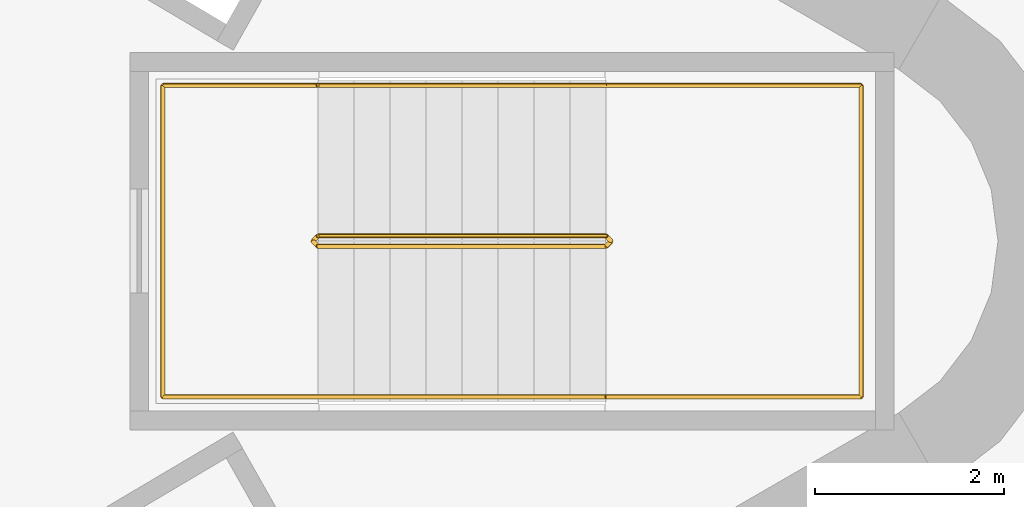
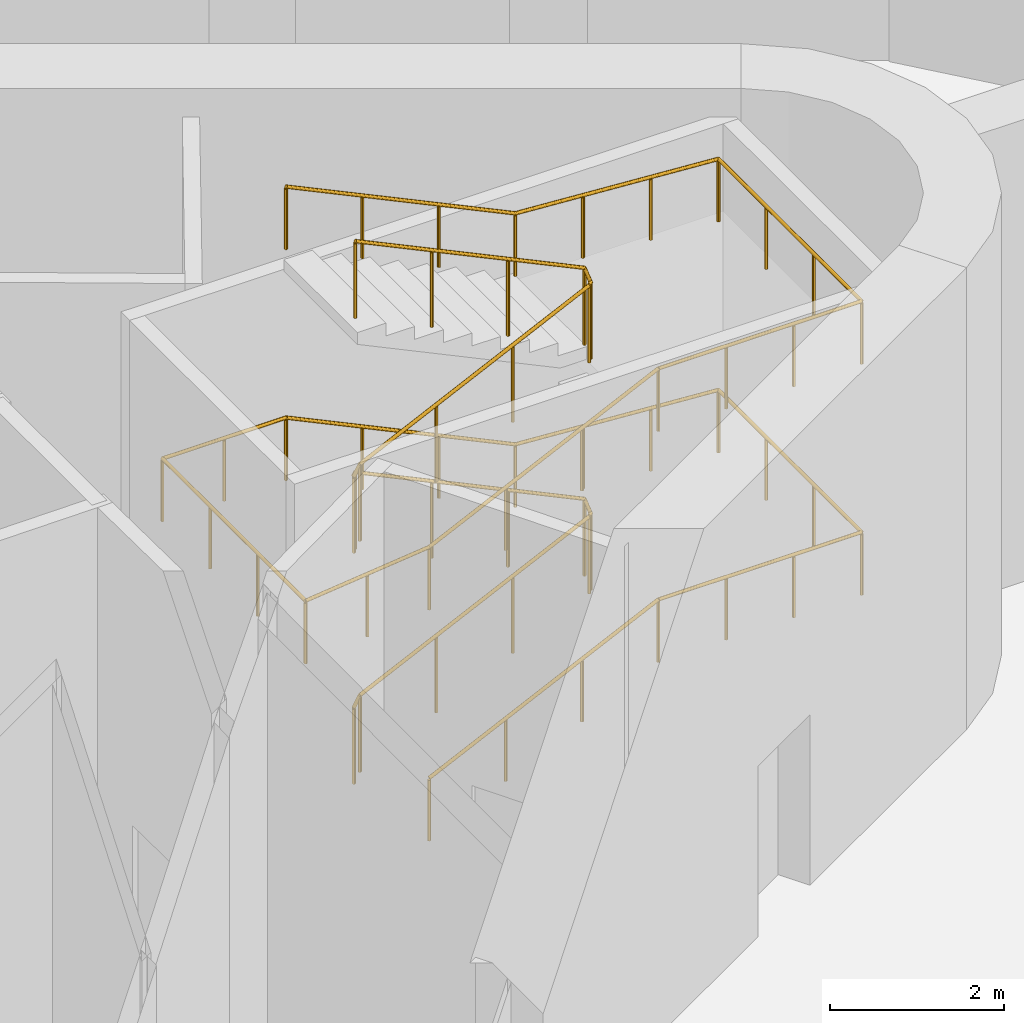
# One storey, part 14 of 15: 2 railings.
"""IFC4 building model written with IfcOpenShell, lengths in metres."""

from ifc_helpers import new_model, si_unit, direction, frame, origin, origin_2d, place, context, subcontext, project, spatial, circle, extrude, material, type_object, element, save


model = new_model("IFC4")

# Units and contexts
model_context = context("Model", 3, precision=1e-05, world=origin(), true_north=direction((0.0, 1.0)))
body_context = subcontext(model_context, "Body", "Model", "MODEL_VIEW")
ifc_project = project(units=[si_unit("LENGTHUNIT", "METRE"), si_unit("AREAUNIT", "SQUARE_METRE"), si_unit("VOLUMEUNIT", "CUBIC_METRE"), si_unit("PLANEANGLEUNIT", "RADIAN"), si_unit("MASSUNIT", "GRAM", prefix="KILO")], contexts=[model_context])

# Site, building, storey
site_placement = place(None, origin())
site = spatial("IfcSite", under=ifc_project, at=site_placement, CompositionType="ELEMENT")
building_placement = place(site_placement, origin())
building = spatial("IfcBuilding", under=site, at=building_placement, Name="Tanit Gate Tower", CompositionType="ELEMENT")
storey_placement = place(building_placement, frame((0.0, 0.0, 277.199951171875)))
storey = spatial("IfcBuildingStorey", under=building, at=storey_placement, Name="L63", CompositionType="ELEMENT", Elevation=277.199951171875)

# Railings
ifc_material_1 = material(Name="Stainless steel balustrade", Category="steel")
railing_type_1 = type_object("IfcRailingType", Name="INT-STAIR-GUARD", PredefinedType="GUARDRAIL", material=ifc_material_1)
railing_1_placement = place(storey_placement, frame((13.044921875, 0.0048828125, 0.0)))
element("IfcRailing", 1, at=railing_1_placement, inside=storey, type_object=railing_type_1, Name="L63 S1 stair guard 1", PredefinedType="GUARDRAIL", context=body_context, shape_type="SweptSolid", body=[
    extrude(circle(Radius=0.02392578125, at=origin_2d()), frame((0.0, 0.0, 1.076171875), z_axis=(0.0, -1.0, 0.0), x_axis=(1.0, 0.0, 0.0)), (0.0, 0.0, 1.0), 0.009765625),
    extrude(circle(Radius=0.02392578125, at=origin_2d()), frame((0.0, -0.009765625, 1.076171875), z_axis=(0.257938167925, -0.257938167925, 0.931093874459), x_axis=(0.707106781187, 0.707106781187, 0.0)), (0.0, 0.0, 1.0), 0.194091796875),
    extrude(circle(Radius=0.02392578125, at=origin_2d()), frame((0.050048828125, -0.059814453125, 1.2568359375), z_axis=(0.903839427737, 0.0, 0.427871813594), x_axis=(0.0, 1.0, 0.0)), (0.0, 0.0, 1.0), 3.375732421875),
    extrude(circle(Radius=0.02392578125, at=origin_2d()), frame((3.10107421875, -0.059814453125, 2.701171875), z_axis=(0.707106781187, 0.707106781187, 0.0), x_axis=(-0.707106781187, 0.707106781187, 0.0)), (0.0, 0.0, 1.0), 0.07080078125),
    extrude(circle(Radius=0.02392578125, at=origin_2d()), frame((3.151123046875, -0.009765625, 2.701171875), z_axis=(0.0, 1.0, 0.0), x_axis=(-1.0, 0.0, 0.0)), (0.0, 0.0, 1.0), 0.009765625),
    extrude(circle(Radius=0.02392578125, at=origin_2d()), frame((3.151123046875, 0.0, 2.701171875), z_axis=(-0.257938167925, 0.257938167925, 0.931093874459), x_axis=(-0.707106781187, -0.707106781187, 0.0)), (0.0, 0.0, 1.0), 0.194091796875),
    extrude(circle(Radius=0.02392578125, at=origin_2d()), frame((3.10107421875, 0.050048828125, 2.8818359375), z_axis=(-0.903839427737, 0.0, 0.427871813594), x_axis=(0.0, -1.0, 0.0)), (0.0, 0.0, 1.0), 3.375732421875),
    extrude(circle(Radius=0.02392578125, at=origin_2d()), frame((0.050048828125, 0.050048828125, 4.326171875), z_axis=(-0.707106781187, -0.707106781187, 0.0), x_axis=(0.707106781187, -0.707106781187, 0.0)), (0.0, 0.0, 1.0), 0.07080078125),
    extrude(circle(Radius=0.02392578125, at=origin_2d()), frame((0.0, 0.0, 4.326171875), z_axis=(0.0, -1.0, 0.0), x_axis=(1.0, 0.0, 0.0)), (0.0, 0.0, 1.0), 0.009765625),
    extrude(circle(Radius=0.02392578125, at=origin_2d()), frame((0.0, -0.009765625, 4.326171875), z_axis=(0.257938167925, -0.257938167925, 0.931093874459), x_axis=(0.707106781187, 0.707106781187, 0.0)), (0.0, 0.0, 1.0), 0.194091796875),
    extrude(circle(Radius=0.02392578125, at=origin_2d()), frame((0.050048828125, -0.059814453125, 4.5068359375), z_axis=(0.903839427737, 0.0, 0.427871813594), x_axis=(0.0, 1.0, 0.0)), (0.0, 0.0, 1.0), 3.375732421875),
    extrude(circle(Radius=0.02392578125, at=origin_2d()), frame((3.10107421875, -0.059814453125, 5.951171875), z_axis=(0.707106781187, 0.707106781187, 0.0), x_axis=(-0.707106781187, 0.707106781187, 0.0)), (0.0, 0.0, 1.0), 0.07080078125),
    extrude(circle(Radius=0.02392578125, at=origin_2d()), frame((3.151123046875, -0.009765625, 5.951171875), z_axis=(0.0, 1.0, 0.0), x_axis=(-1.0, 0.0, 0.0)), (0.0, 0.0, 1.0), 0.009765625),
    extrude(circle(Radius=0.02392578125, at=origin_2d()), frame((3.151123046875, 0.0, 5.951171875), z_axis=(-0.257938167925, 0.257938167925, 0.931093874459), x_axis=(-0.707106781187, -0.707106781187, 0.0)), (0.0, 0.0, 1.0), 0.194091796875),
    extrude(circle(Radius=0.02392578125, at=origin_2d()), frame((3.10107421875, 0.050048828125, 6.1318359375), z_axis=(-0.903839427737, 0.0, 0.427871813594), x_axis=(0.0, -1.0, 0.0)), (0.0, 0.0, 1.0), 3.375732421875),
    extrude(circle(Radius=0.02099609375, at=origin_2d()), origin(), (0.0, 0.0, 1.0), 1.052001953125),
    extrude(circle(Radius=0.02099609375, at=origin_2d()), frame((0.0, -0.009765625, 0.0)), (0.0, 0.0, 1.0), 1.052001953125),
    extrude(circle(Radius=0.02099609375, at=origin_2d()), frame((0.050048828125, -0.059814453125, 0.1806640625)), (0.0, 0.0, 1.0), 1.052001953125),
    extrude(circle(Radius=0.02099609375, at=origin_2d()), frame((1.067138671875, -0.059814453125, 0.662109375)), (0.0, 0.0, 1.0), 1.052001953125),
    extrude(circle(Radius=0.02099609375, at=origin_2d()), frame((2.083984375, -0.059814453125, 1.1435546875)), (0.0, 0.0, 1.0), 1.052001953125),
    extrude(circle(Radius=0.02099609375, at=origin_2d()), frame((3.10107421875, -0.059814453125, 1.625)), (0.0, 0.0, 1.0), 1.052001953125),
    extrude(circle(Radius=0.02099609375, at=origin_2d()), frame((3.151123046875, -0.009765625, 1.625)), (0.0, 0.0, 1.0), 1.052001953125),
    extrude(circle(Radius=0.02099609375, at=origin_2d()), frame((3.151123046875, 0.0, 1.625)), (0.0, 0.0, 1.0), 1.052001953125),
    extrude(circle(Radius=0.02099609375, at=origin_2d()), frame((3.10107421875, 0.050048828125, 1.8056640625)), (0.0, 0.0, 1.0), 1.052001953125),
    extrude(circle(Radius=0.02099609375, at=origin_2d()), frame((2.083984375, 0.050048828125, 2.287109375)), (0.0, 0.0, 1.0), 1.052001953125),
    extrude(circle(Radius=0.02099609375, at=origin_2d()), frame((1.067138671875, 0.050048828125, 2.7685546875)), (0.0, 0.0, 1.0), 1.052001953125),
    extrude(circle(Radius=0.02099609375, at=origin_2d()), frame((0.050048828125, 0.050048828125, 3.25)), (0.0, 0.0, 1.0), 1.052001953125),
    extrude(circle(Radius=0.02099609375, at=origin_2d()), frame((0.0, 0.0, 3.25)), (0.0, 0.0, 1.0), 1.052001953125),
    extrude(circle(Radius=0.02099609375, at=origin_2d()), frame((0.0, -0.009765625, 3.25)), (0.0, 0.0, 1.0), 1.052001953125),
    extrude(circle(Radius=0.02099609375, at=origin_2d()), frame((0.050048828125, -0.059814453125, 3.4306640625)), (0.0, 0.0, 1.0), 1.052001953125),
    extrude(circle(Radius=0.02099609375, at=origin_2d()), frame((1.067138671875, -0.059814453125, 3.912109375)), (0.0, 0.0, 1.0), 1.052001953125),
    extrude(circle(Radius=0.02099609375, at=origin_2d()), frame((2.083984375, -0.059814453125, 4.3935546875)), (0.0, 0.0, 1.0), 1.052001953125),
    extrude(circle(Radius=0.02099609375, at=origin_2d()), frame((3.10107421875, -0.059814453125, 4.875)), (0.0, 0.0, 1.0), 1.052001953125),
    extrude(circle(Radius=0.02099609375, at=origin_2d()), frame((3.151123046875, -0.009765625, 4.875)), (0.0, 0.0, 1.0), 1.052001953125),
    extrude(circle(Radius=0.02099609375, at=origin_2d()), frame((3.151123046875, 0.0, 4.875)), (0.0, 0.0, 1.0), 1.052001953125),
    extrude(circle(Radius=0.02099609375, at=origin_2d()), frame((3.10107421875, 0.050048828125, 5.0556640625)), (0.0, 0.0, 1.0), 1.052001953125),
    extrude(circle(Radius=0.02099609375, at=origin_2d()), frame((2.083984375, 0.050048828125, 5.537109375)), (0.0, 0.0, 1.0), 1.052001953125),
    extrude(circle(Radius=0.02099609375, at=origin_2d()), frame((1.067138671875, 0.050048828125, 6.0185546875)), (0.0, 0.0, 1.0), 1.052001953125),
    extrude(circle(Radius=0.02099609375, at=origin_2d()), frame((0.050048828125, 0.050048828125, 6.5)), (0.0, 0.0, 1.0), 1.052001953125),
])
ifc_material_2 = material(Name="Stainless steel handrail", Category="steel")
railing_type_2 = type_object("IfcRailingType", Name="INT-STAIR-HANDRAIL", PredefinedType="HANDRAIL", material=ifc_material_2)
railing_2_placement = place(storey_placement, frame((13.094970703125, -1.64990234375, 0.1806640625)))
element("IfcRailing", 2, at=railing_2_placement, inside=storey, type_object=railing_type_2, Name="L63 S1 stair handrail 1", PredefinedType="HANDRAIL", context=body_context, shape_type="SweptSolid", body=[
    extrude(circle(Radius=0.02392578125, at=origin_2d()), frame((0.0, 0.0, 0.8759765625), z_axis=(0.903839427737, 0.0, 0.427871813594), x_axis=(0.0, 1.0, 0.0)), (0.0, 0.0, 1.0), 3.375732421875),
    extrude(circle(Radius=0.02392578125, at=origin_2d()), frame((3.051025390625, 0.0, 2.3203125), z_axis=(1.0, 0.0, 0.0), x_axis=(0.0, 1.0, 0.0)), (0.0, 0.0, 1.0), 2.7041015625),
    extrude(circle(Radius=0.02392578125, at=origin_2d()), frame((5.755126953125, 0.0, 2.3203125), z_axis=(0.0, 1.0, 0.0), x_axis=(-1.0, 0.0, 0.0)), (0.0, 0.0, 1.0), 3.2998046875),
    extrude(circle(Radius=0.02392578125, at=origin_2d()), frame((5.755126953125, 3.2998046875, 2.3203125), z_axis=(-0.997775581046, 0.0, 0.06666250722), x_axis=(0.0, -1.0, 0.0)), (0.0, 0.0, 1.0), 2.710205078125),
    extrude(circle(Radius=0.02392578125, at=origin_2d()), frame((3.051025390625, 3.2998046875, 2.5009765625), z_axis=(-0.903839427737, 0.0, 0.427871813594), x_axis=(0.0, -1.0, 0.0)), (0.0, 0.0, 1.0), 3.375732421875),
    extrude(circle(Radius=0.02392578125, at=origin_2d()), frame((0.0, 3.2998046875, 3.9453125), z_axis=(-1.0, 0.0, 0.0), x_axis=(0.0, -1.0, 0.0)), (0.0, 0.0, 1.0), 1.64501953125),
    extrude(circle(Radius=0.02392578125, at=origin_2d()), frame((-1.64501953125, 3.2998046875, 3.9453125), z_axis=(0.0, -1.0, 0.0), x_axis=(1.0, 0.0, 0.0)), (0.0, 0.0, 1.0), 3.2998046875),
    extrude(circle(Radius=0.02392578125, at=origin_2d()), frame((-1.64501953125, 0.0, 3.9453125), z_axis=(0.994023260866, 0.0, 0.109168479228), x_axis=(0.0, 1.0, 0.0)), (0.0, 0.0, 1.0), 1.655029296875),
    extrude(circle(Radius=0.02392578125, at=origin_2d()), frame((0.0, 0.0, 4.1259765625), z_axis=(0.903839427737, 0.0, 0.427871813594), x_axis=(0.0, 1.0, 0.0)), (0.0, 0.0, 1.0), 3.375732421875),
    extrude(circle(Radius=0.02392578125, at=origin_2d()), frame((3.051025390625, 0.0, 5.5703125), z_axis=(1.0, 0.0, 0.0), x_axis=(0.0, 1.0, 0.0)), (0.0, 0.0, 1.0), 2.7041015625),
    extrude(circle(Radius=0.02392578125, at=origin_2d()), frame((5.755126953125, 0.0, 5.5703125), z_axis=(0.0, 1.0, 0.0), x_axis=(-1.0, 0.0, 0.0)), (0.0, 0.0, 1.0), 3.2998046875),
    extrude(circle(Radius=0.02392578125, at=origin_2d()), frame((5.755126953125, 3.2998046875, 5.5703125), z_axis=(-0.997775581046, 0.0, 0.06666250722), x_axis=(0.0, -1.0, 0.0)), (0.0, 0.0, 1.0), 2.710205078125),
    extrude(circle(Radius=0.02392578125, at=origin_2d()), frame((3.051025390625, 3.2998046875, 5.7509765625), z_axis=(-0.903839427737, 0.0, 0.427871813594), x_axis=(0.0, -1.0, 0.0)), (0.0, 0.0, 1.0), 3.375732421875),
    extrude(circle(Radius=0.02099609375, at=origin_2d()), origin(), (0.0, 0.0, 1.0), 0.851806640625),
    extrude(circle(Radius=0.02099609375, at=origin_2d()), frame((1.01708984375, 0.0, 0.4814453125)), (0.0, 0.0, 1.0), 0.851806640625),
    extrude(circle(Radius=0.02099609375, at=origin_2d()), frame((2.033935546875, 0.0, 0.962890625)), (0.0, 0.0, 1.0), 0.851806640625),
    extrude(circle(Radius=0.02099609375, at=origin_2d()), frame((3.051025390625, 0.0, 1.4443359375)), (0.0, 0.0, 1.0), 0.851806640625),
    extrude(circle(Radius=0.02099609375, at=origin_2d()), frame((3.952392578125, 0.0, 1.4443359375)), (0.0, 0.0, 1.0), 0.851806640625),
    extrude(circle(Radius=0.02099609375, at=origin_2d()), frame((4.853759765625, 0.0, 1.4443359375)), (0.0, 0.0, 1.0), 0.851806640625),
    extrude(circle(Radius=0.02099609375, at=origin_2d()), frame((5.755126953125, 0.0, 1.4443359375)), (0.0, 0.0, 1.0), 0.851806640625),
    extrude(circle(Radius=0.02099609375, at=origin_2d()), frame((5.755126953125, 1.099853515625, 1.4443359375)), (0.0, 0.0, 1.0), 0.851806640625),
    extrude(circle(Radius=0.02099609375, at=origin_2d()), frame((5.755126953125, 2.199951171875, 1.4443359375)), (0.0, 0.0, 1.0), 0.851806640625),
    extrude(circle(Radius=0.02099609375, at=origin_2d()), frame((5.755126953125, 3.2998046875, 1.4443359375)), (0.0, 0.0, 1.0), 0.851806640625),
    extrude(circle(Radius=0.02099609375, at=origin_2d()), frame((4.853759765625, 3.2998046875, 1.504638671875)), (0.0, 0.0, 1.0), 0.851806640625),
    extrude(circle(Radius=0.02099609375, at=origin_2d()), frame((3.952392578125, 3.2998046875, 1.564697265625)), (0.0, 0.0, 1.0), 0.851806640625),
    extrude(circle(Radius=0.02099609375, at=origin_2d()), frame((3.051025390625, 3.2998046875, 1.625)), (0.0, 0.0, 1.0), 0.851806640625),
    extrude(circle(Radius=0.02099609375, at=origin_2d()), frame((2.033935546875, 3.2998046875, 2.1064453125)), (0.0, 0.0, 1.0), 0.851806640625),
    extrude(circle(Radius=0.02099609375, at=origin_2d()), frame((1.01708984375, 3.2998046875, 2.587890625)), (0.0, 0.0, 1.0), 0.851806640625),
    extrude(circle(Radius=0.02099609375, at=origin_2d()), frame((0.0, 3.2998046875, 3.0693359375)), (0.0, 0.0, 1.0), 0.851806640625),
    extrude(circle(Radius=0.02099609375, at=origin_2d()), frame((-0.822509765625, 3.2998046875, 3.0693359375)), (0.0, 0.0, 1.0), 0.851806640625),
    extrude(circle(Radius=0.02099609375, at=origin_2d()), frame((-1.64501953125, 3.2998046875, 3.0693359375)), (0.0, 0.0, 1.0), 0.851806640625),
    extrude(circle(Radius=0.02099609375, at=origin_2d()), frame((-1.64501953125, 2.199951171875, 3.0693359375)), (0.0, 0.0, 1.0), 0.851806640625),
    extrude(circle(Radius=0.02099609375, at=origin_2d()), frame((-1.64501953125, 1.099853515625, 3.0693359375)), (0.0, 0.0, 1.0), 0.851806640625),
    extrude(circle(Radius=0.02099609375, at=origin_2d()), frame((-1.64501953125, 0.0, 3.0693359375)), (0.0, 0.0, 1.0), 0.851806640625),
    extrude(circle(Radius=0.02099609375, at=origin_2d()), frame((-0.822509765625, 0.0, 3.15966796875)), (0.0, 0.0, 1.0), 0.851806640625),
    extrude(circle(Radius=0.02099609375, at=origin_2d()), frame((0.0, 0.0, 3.25)), (0.0, 0.0, 1.0), 0.851806640625),
    extrude(circle(Radius=0.02099609375, at=origin_2d()), frame((1.01708984375, 0.0, 3.7314453125)), (0.0, 0.0, 1.0), 0.851806640625),
    extrude(circle(Radius=0.02099609375, at=origin_2d()), frame((2.033935546875, 0.0, 4.212890625)), (0.0, 0.0, 1.0), 0.851806640625),
    extrude(circle(Radius=0.02099609375, at=origin_2d()), frame((3.051025390625, 0.0, 4.6943359375)), (0.0, 0.0, 1.0), 0.851806640625),
    extrude(circle(Radius=0.02099609375, at=origin_2d()), frame((3.952392578125, 0.0, 4.6943359375)), (0.0, 0.0, 1.0), 0.851806640625),
    extrude(circle(Radius=0.02099609375, at=origin_2d()), frame((4.853759765625, 0.0, 4.6943359375)), (0.0, 0.0, 1.0), 0.851806640625),
    extrude(circle(Radius=0.02099609375, at=origin_2d()), frame((5.755126953125, 0.0, 4.6943359375)), (0.0, 0.0, 1.0), 0.851806640625),
    extrude(circle(Radius=0.02099609375, at=origin_2d()), frame((5.755126953125, 1.099853515625, 4.6943359375)), (0.0, 0.0, 1.0), 0.851806640625),
    extrude(circle(Radius=0.02099609375, at=origin_2d()), frame((5.755126953125, 2.199951171875, 4.6943359375)), (0.0, 0.0, 1.0), 0.851806640625),
    extrude(circle(Radius=0.02099609375, at=origin_2d()), frame((5.755126953125, 3.2998046875, 4.6943359375)), (0.0, 0.0, 1.0), 0.851806640625),
    extrude(circle(Radius=0.02099609375, at=origin_2d()), frame((4.853759765625, 3.2998046875, 4.754638671875)), (0.0, 0.0, 1.0), 0.851806640625),
    extrude(circle(Radius=0.02099609375, at=origin_2d()), frame((3.952392578125, 3.2998046875, 4.814697265625)), (0.0, 0.0, 1.0), 0.851806640625),
    extrude(circle(Radius=0.02099609375, at=origin_2d()), frame((3.051025390625, 3.2998046875, 4.875)), (0.0, 0.0, 1.0), 0.851806640625),
    extrude(circle(Radius=0.02099609375, at=origin_2d()), frame((2.033935546875, 3.2998046875, 5.3564453125)), (0.0, 0.0, 1.0), 0.851806640625),
    extrude(circle(Radius=0.02099609375, at=origin_2d()), frame((1.01708984375, 3.2998046875, 5.837890625)), (0.0, 0.0, 1.0), 0.851806640625),
    extrude(circle(Radius=0.02099609375, at=origin_2d()), frame((0.0, 3.2998046875, 6.3193359375)), (0.0, 0.0, 1.0), 0.851806640625),
])

save(model, "model.ifc")
